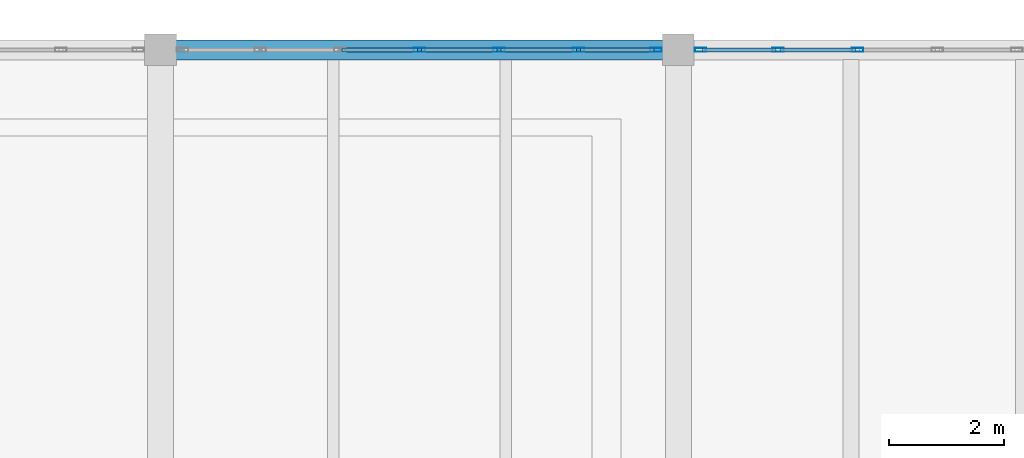
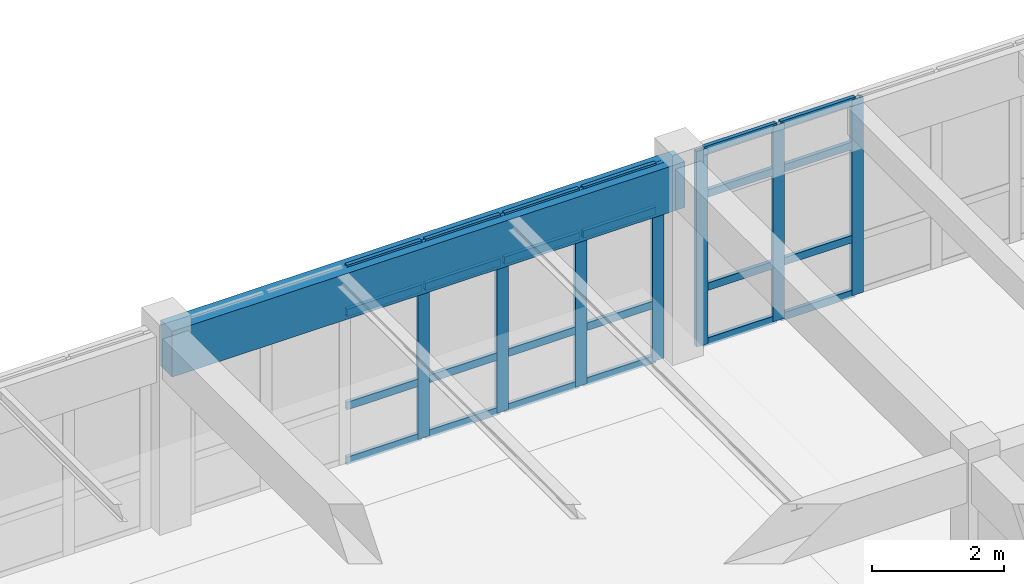
# One storey, part 104 of 156: 31 members, 1 beam, 2 elements without a shape of their own.
"""IFC4 building model written with IfcOpenShell, lengths in metres."""

from ifc_helpers import new_model, si_unit, direction, frame, origin, origin_2d, place, context, subcontext, project, spatial, rectangle, hollow_rectangle, extrude, material, layer, layer_set, material_profile, profile_set, type_object, element, aggregate, save


model = new_model("IFC4")

# Units and contexts
model_context = context("Model", 3, precision=1e-05, world=origin(), true_north=direction((0.0, 1.0)))
body_context = subcontext(model_context, "Body", "Model", "MODEL_VIEW")
ifc_project = project(units=[si_unit("LENGTHUNIT", "METRE"), si_unit("AREAUNIT", "SQUARE_METRE"), si_unit("VOLUMEUNIT", "CUBIC_METRE"), si_unit("PLANEANGLEUNIT", "RADIAN"), si_unit("MASSUNIT", "GRAM", prefix="KILO")], contexts=[model_context])

# Site, building, storey
site_placement = place(None, origin())
site = spatial("IfcSite", under=ifc_project, at=site_placement, CompositionType="ELEMENT")
building_placement = place(site_placement, origin())
building = spatial("IfcBuilding", under=site, at=building_placement, Name="Ornek Quay Market", CompositionType="ELEMENT")
storey_placement = place(building_placement, frame((0.0, 0.0, 4.5)))
storey = spatial("IfcBuildingStorey", under=building, at=storey_placement, Name="L01", CompositionType="ELEMENT", Elevation=4.5)

# Beam
ifc_material_1 = material(Name="Concrete C40/50", Category="concrete")
ifc_material_profile_1 = material_profile(ifc_material_1, rectangle(XDim=0.35009765625, YDim=0.85009765625, at=origin_2d()), Name="RC 350x850", Category="concrete")
ifc_profile_set_1 = profile_set([ifc_material_profile_1], Name="Concrete C40/50")
beam_type = type_object("IfcBeamType", Name="BM-SPN-350x850", PredefinedType="SPANDREL", material=ifc_profile_set_1)
beam_placement = place(storey_placement, frame((162.0, 110.0, 3.205078125), z_axis=(1.0, 0.0, 0.0), x_axis=(0.0, 1.0, 0.0)))
element("IfcBeam", 1, at=beam_placement, inside=storey, type_object=beam_type, Name="Primary beam B-SP1-105", PredefinedType="SPANDREL", context=body_context, shape_type="SweptSolid", body=[
    extrude(rectangle(XDim=0.35009765625, YDim=0.85009765625, at=origin_2d()), origin(), (0.0, 0.0, 1.0), 9.0),
])

# Curtain wall, members
ifc_material_2 = material(Name="Anodised bronze aluminium and triple low-e glass", Category="aluminium")
ifc_layer = layer(ifc_material_2, 0.18994140625, Name="Anodised bronze aluminium and triple low-e glass", Category="aluminium")
ifc_layer_set = layer_set([ifc_layer], Name="Anodised bronze aluminium and triple low-e glass")
curtain_wall_type = type_object("IfcCurtainWallType", Name="CW-FC-MOD1500", PredefinedType="USERDEFINED", material=ifc_layer_set)
curtain_wall_1_placement = place(storey_placement, origin())
curtain_wall_1 = element("IfcCurtainWall", 2, at=curtain_wall_1_placement, inside=storey, type_object=curtain_wall_type, Name="Curtain wall CW-084", ObjectType="CURTAIN WALL", PredefinedType="USERDEFINED")
ifc_material_3 = material(Name="Anodised aluminium 6063-T6", Category="aluminium")
ifc_material_profile_2 = material_profile(ifc_material_3, hollow_rectangle(XDim=0.070068359375, YDim=0.199951171875, WallThickness=0.0048828125, at=origin_2d()), Name="CW-MUL-70x200", Category="aluminium")
ifc_profile_set_2 = profile_set([ifc_material_profile_2], Name="Anodised aluminium 6063-T6")
member_type_1 = type_object("IfcMemberType", Name="CW-MUL-70x200", PredefinedType="MULLION", material=ifc_profile_set_2)
member_1_placement = place(storey_placement, frame((166.5, 110.0, 0.0), z_axis=(0.0, 0.0, 1.0), x_axis=(0.0, 1.0, 0.0)))
member_1 = element("IfcMember", 3, at=member_1_placement, type_object=member_type_1, Name="CW-084 mullion 4", PredefinedType="MULLION", context=body_context, shape_type="SweptSolid", body=[
    extrude(hollow_rectangle(XDim=0.070068359375, YDim=0.199951171875, WallThickness=0.0048828125, at=origin_2d()), origin(), (0.0, 0.0, 1.0), 3.6298828125),
])
member_2_placement = place(storey_placement, frame((167.88330078125, 110.0, 0.0), z_axis=(0.0, 0.0, 1.0), x_axis=(0.0, 1.0, 0.0)))
member_2 = element("IfcMember", 4, at=member_2_placement, type_object=member_type_1, Name="CW-084 mullion 5", PredefinedType="MULLION", context=body_context, shape_type="SweptSolid", body=[
    extrude(hollow_rectangle(XDim=0.070068359375, YDim=0.199951171875, WallThickness=0.0048828125, at=origin_2d()), origin(), (0.0, 0.0, 1.0), 3.6298828125),
])
member_3_placement = place(storey_placement, frame((169.2666015625, 110.0, 0.0), z_axis=(0.0, 0.0, 1.0), x_axis=(0.0, 1.0, 0.0)))
member_3 = element("IfcMember", 5, at=member_3_placement, type_object=member_type_1, Name="CW-084 mullion 6", PredefinedType="MULLION", context=body_context, shape_type="SweptSolid", body=[
    extrude(hollow_rectangle(XDim=0.070068359375, YDim=0.199951171875, WallThickness=0.0048828125, at=origin_2d()), origin(), (0.0, 0.0, 1.0), 3.6298828125),
])
member_4_placement = place(storey_placement, frame((170.614990234375, 110.0, 0.0), z_axis=(0.0, 0.0, 1.0), x_axis=(0.0, 1.0, 0.0)))
member_4 = element("IfcMember", 6, at=member_4_placement, type_object=member_type_1, Name="CW-084 mullion 7", PredefinedType="MULLION", context=body_context, shape_type="SweptSolid", body=[
    extrude(hollow_rectangle(XDim=0.070068359375, YDim=0.199951171875, WallThickness=0.0048828125, at=origin_2d()), origin(), (0.0, 0.0, 1.0), 3.6298828125),
])

curtain_wall_2_placement = place(storey_placement, origin())
curtain_wall_2 = element("IfcCurtainWall", 7, at=curtain_wall_2_placement, inside=storey, type_object=curtain_wall_type, Name="Curtain wall CW-085", ObjectType="CURTAIN WALL", PredefinedType="USERDEFINED")
member_5_placement = place(storey_placement, frame((171.385009765625, 110.0, 0.0), z_axis=(0.0, 0.0, 1.0), x_axis=(0.0, 1.0, 0.0)))
member_5 = element("IfcMember", 8, at=member_5_placement, type_object=member_type_1, Name="CW-085 mullion 1", PredefinedType="MULLION", context=body_context, shape_type="SweptSolid", body=[
    extrude(hollow_rectangle(XDim=0.070068359375, YDim=0.199951171875, WallThickness=0.0048828125, at=origin_2d()), origin(), (0.0, 0.0, 1.0), 3.6298828125),
])
member_6_placement = place(storey_placement, frame((172.7333984375, 110.0, 0.0), z_axis=(0.0, 0.0, 1.0), x_axis=(0.0, 1.0, 0.0)))
member_6 = element("IfcMember", 9, at=member_6_placement, type_object=member_type_1, Name="CW-085 mullion 2", PredefinedType="MULLION", context=body_context, shape_type="SweptSolid", body=[
    extrude(hollow_rectangle(XDim=0.070068359375, YDim=0.199951171875, WallThickness=0.0048828125, at=origin_2d()), origin(), (0.0, 0.0, 1.0), 3.6298828125),
])
member_7_placement = place(storey_placement, frame((174.11669921875, 110.0, 0.0), z_axis=(0.0, 0.0, 1.0), x_axis=(0.0, 1.0, 0.0)))
member_7 = element("IfcMember", 10, at=member_7_placement, type_object=member_type_1, Name="CW-085 mullion 3", PredefinedType="MULLION", context=body_context, shape_type="SweptSolid", body=[
    extrude(hollow_rectangle(XDim=0.070068359375, YDim=0.199951171875, WallThickness=0.0048828125, at=origin_2d()), origin(), (0.0, 0.0, 1.0), 3.6298828125),
])

# Member
ifc_material_profile_3 = material_profile(ifc_material_3, hollow_rectangle(XDim=0.06494140625, YDim=0.139892578125, WallThickness=0.00439453125, at=origin_2d()), Name="CW-TRN-65x140", Category="aluminium")
ifc_profile_set_3 = profile_set([ifc_material_profile_3], Name="Anodised aluminium 6063-T6")
member_type_2 = type_object("IfcMemberType", Name="CW-TRN-65x140", PredefinedType="USERDEFINED", material=ifc_profile_set_3)
member_8_placement = place(storey_placement, frame((165.151611328125, 110.0, 0.032470703125), z_axis=(1.0, 0.0, 0.0), x_axis=(0.0, 1.0, 0.0)))
member_8 = element("IfcMember", 11, at=member_8_placement, type_object=member_type_2, Name="CW-084 transom 3.1", ObjectType="TRANSOM", PredefinedType="USERDEFINED", context=body_context, shape_type="SweptSolid", body=[
    extrude(hollow_rectangle(XDim=0.06494140625, YDim=0.139892578125, WallThickness=0.00439453125, at=origin_2d()), origin(), (0.0, 0.0, 1.0), 1.3134765625),
])

member_9_placement = place(storey_placement, frame((165.151611328125, 110.0, 1.050048828125), z_axis=(1.0, 0.0, 0.0), x_axis=(0.0, 1.0, 0.0)))
member_9 = element("IfcMember", 12, at=member_9_placement, type_object=member_type_2, Name="CW-084 transom 3.2", ObjectType="TRANSOM", PredefinedType="USERDEFINED", context=body_context, shape_type="SweptSolid", body=[
    extrude(hollow_rectangle(XDim=0.06494140625, YDim=0.139892578125, WallThickness=0.00439453125, at=origin_2d()), origin(), (0.0, 0.0, 1.0), 1.3134765625),
])

member_10_placement = place(storey_placement, frame((165.151611328125, 110.0, 2.780029296875), z_axis=(1.0, 0.0, 0.0), x_axis=(0.0, 1.0, 0.0)))
member_10 = element("IfcMember", 13, at=member_10_placement, type_object=member_type_2, Name="CW-084 transom 3.3", ObjectType="TRANSOM", PredefinedType="USERDEFINED", context=body_context, shape_type="SweptSolid", body=[
    extrude(hollow_rectangle(XDim=0.06494140625, YDim=0.139892578125, WallThickness=0.00439453125, at=origin_2d()), origin(), (0.0, 0.0, 1.0), 1.3134765625),
])

member_11_placement = place(storey_placement, frame((165.151611328125, 110.0, 3.597412109375), z_axis=(1.0, 0.0, 0.0), x_axis=(0.0, 1.0, 0.0)))
member_11 = element("IfcMember", 14, at=member_11_placement, type_object=member_type_2, Name="CW-084 transom 3.4", ObjectType="TRANSOM", PredefinedType="USERDEFINED", context=body_context, shape_type="SweptSolid", body=[
    extrude(hollow_rectangle(XDim=0.06494140625, YDim=0.139892578125, WallThickness=0.00439453125, at=origin_2d()), origin(), (0.0, 0.0, 1.0), 1.3134765625),
])

member_12_placement = place(storey_placement, frame((166.534912109375, 110.0, 0.032470703125), z_axis=(1.0, 0.0, 0.0), x_axis=(0.0, 1.0, 0.0)))
member_12 = element("IfcMember", 15, at=member_12_placement, type_object=member_type_2, Name="CW-084 transom 4.1", ObjectType="TRANSOM", PredefinedType="USERDEFINED", context=body_context, shape_type="SweptSolid", body=[
    extrude(hollow_rectangle(XDim=0.06494140625, YDim=0.139892578125, WallThickness=0.00439453125, at=origin_2d()), origin(), (0.0, 0.0, 1.0), 1.3134765625),
])

member_13_placement = place(storey_placement, frame((166.534912109375, 110.0, 1.050048828125), z_axis=(1.0, 0.0, 0.0), x_axis=(0.0, 1.0, 0.0)))
member_13 = element("IfcMember", 16, at=member_13_placement, type_object=member_type_2, Name="CW-084 transom 4.2", ObjectType="TRANSOM", PredefinedType="USERDEFINED", context=body_context, shape_type="SweptSolid", body=[
    extrude(hollow_rectangle(XDim=0.06494140625, YDim=0.139892578125, WallThickness=0.00439453125, at=origin_2d()), origin(), (0.0, 0.0, 1.0), 1.3134765625),
])

member_14_placement = place(storey_placement, frame((166.534912109375, 110.0, 2.780029296875), z_axis=(1.0, 0.0, 0.0), x_axis=(0.0, 1.0, 0.0)))
member_14 = element("IfcMember", 17, at=member_14_placement, type_object=member_type_2, Name="CW-084 transom 4.3", ObjectType="TRANSOM", PredefinedType="USERDEFINED", context=body_context, shape_type="SweptSolid", body=[
    extrude(hollow_rectangle(XDim=0.06494140625, YDim=0.139892578125, WallThickness=0.00439453125, at=origin_2d()), origin(), (0.0, 0.0, 1.0), 1.3134765625),
])

member_15_placement = place(storey_placement, frame((166.534912109375, 110.0, 3.597412109375), z_axis=(1.0, 0.0, 0.0), x_axis=(0.0, 1.0, 0.0)))
member_15 = element("IfcMember", 18, at=member_15_placement, type_object=member_type_2, Name="CW-084 transom 4.4", ObjectType="TRANSOM", PredefinedType="USERDEFINED", context=body_context, shape_type="SweptSolid", body=[
    extrude(hollow_rectangle(XDim=0.06494140625, YDim=0.139892578125, WallThickness=0.00439453125, at=origin_2d()), origin(), (0.0, 0.0, 1.0), 1.3134765625),
])

member_16_placement = place(storey_placement, frame((167.918212890625, 110.0, 0.032470703125), z_axis=(1.0, 0.0, 0.0), x_axis=(0.0, 1.0, 0.0)))
member_16 = element("IfcMember", 19, at=member_16_placement, type_object=member_type_2, Name="CW-084 transom 5.1", ObjectType="TRANSOM", PredefinedType="USERDEFINED", context=body_context, shape_type="SweptSolid", body=[
    extrude(hollow_rectangle(XDim=0.06494140625, YDim=0.139892578125, WallThickness=0.00439453125, at=origin_2d()), origin(), (0.0, 0.0, 1.0), 1.3134765625),
])

member_17_placement = place(storey_placement, frame((167.918212890625, 110.0, 1.050048828125), z_axis=(1.0, 0.0, 0.0), x_axis=(0.0, 1.0, 0.0)))
member_17 = element("IfcMember", 20, at=member_17_placement, type_object=member_type_2, Name="CW-084 transom 5.2", ObjectType="TRANSOM", PredefinedType="USERDEFINED", context=body_context, shape_type="SweptSolid", body=[
    extrude(hollow_rectangle(XDim=0.06494140625, YDim=0.139892578125, WallThickness=0.00439453125, at=origin_2d()), origin(), (0.0, 0.0, 1.0), 1.3134765625),
])

member_18_placement = place(storey_placement, frame((167.918212890625, 110.0, 2.780029296875), z_axis=(1.0, 0.0, 0.0), x_axis=(0.0, 1.0, 0.0)))
member_18 = element("IfcMember", 21, at=member_18_placement, type_object=member_type_2, Name="CW-084 transom 5.3", ObjectType="TRANSOM", PredefinedType="USERDEFINED", context=body_context, shape_type="SweptSolid", body=[
    extrude(hollow_rectangle(XDim=0.06494140625, YDim=0.139892578125, WallThickness=0.00439453125, at=origin_2d()), origin(), (0.0, 0.0, 1.0), 1.3134765625),
])

member_19_placement = place(storey_placement, frame((167.918212890625, 110.0, 3.597412109375), z_axis=(1.0, 0.0, 0.0), x_axis=(0.0, 1.0, 0.0)))
member_19 = element("IfcMember", 22, at=member_19_placement, type_object=member_type_2, Name="CW-084 transom 5.4", ObjectType="TRANSOM", PredefinedType="USERDEFINED", context=body_context, shape_type="SweptSolid", body=[
    extrude(hollow_rectangle(XDim=0.06494140625, YDim=0.139892578125, WallThickness=0.00439453125, at=origin_2d()), origin(), (0.0, 0.0, 1.0), 1.3134765625),
])

member_20_placement = place(storey_placement, frame((169.3017578125, 110.0, 0.032470703125), z_axis=(1.0, 0.0, 0.0), x_axis=(0.0, 1.0, 0.0)))
member_20 = element("IfcMember", 23, at=member_20_placement, type_object=member_type_2, Name="CW-084 transom 6.1", ObjectType="TRANSOM", PredefinedType="USERDEFINED", context=body_context, shape_type="SweptSolid", body=[
    extrude(hollow_rectangle(XDim=0.06494140625, YDim=0.139892578125, WallThickness=0.00439453125, at=origin_2d()), origin(), (0.0, 0.0, 1.0), 1.2783203125),
])

member_21_placement = place(storey_placement, frame((169.3017578125, 110.0, 1.050048828125), z_axis=(1.0, 0.0, 0.0), x_axis=(0.0, 1.0, 0.0)))
member_21 = element("IfcMember", 24, at=member_21_placement, type_object=member_type_2, Name="CW-084 transom 6.2", ObjectType="TRANSOM", PredefinedType="USERDEFINED", context=body_context, shape_type="SweptSolid", body=[
    extrude(hollow_rectangle(XDim=0.06494140625, YDim=0.139892578125, WallThickness=0.00439453125, at=origin_2d()), origin(), (0.0, 0.0, 1.0), 1.2783203125),
])

member_22_placement = place(storey_placement, frame((169.3017578125, 110.0, 2.780029296875), z_axis=(1.0, 0.0, 0.0), x_axis=(0.0, 1.0, 0.0)))
member_22 = element("IfcMember", 25, at=member_22_placement, type_object=member_type_2, Name="CW-084 transom 6.3", ObjectType="TRANSOM", PredefinedType="USERDEFINED", context=body_context, shape_type="SweptSolid", body=[
    extrude(hollow_rectangle(XDim=0.06494140625, YDim=0.139892578125, WallThickness=0.00439453125, at=origin_2d()), origin(), (0.0, 0.0, 1.0), 1.2783203125),
])

member_23_placement = place(storey_placement, frame((169.3017578125, 110.0, 3.597412109375), z_axis=(1.0, 0.0, 0.0), x_axis=(0.0, 1.0, 0.0)))
member_23 = element("IfcMember", 26, at=member_23_placement, type_object=member_type_2, Name="CW-084 transom 6.4", ObjectType="TRANSOM", PredefinedType="USERDEFINED", context=body_context, shape_type="SweptSolid", body=[
    extrude(hollow_rectangle(XDim=0.06494140625, YDim=0.139892578125, WallThickness=0.00439453125, at=origin_2d()), origin(), (0.0, 0.0, 1.0), 1.2783203125),
])

aggregate(curtain_wall_1, [member_1, member_2, member_3, member_4, member_8, member_9, member_10, member_11, member_12, member_13, member_14, member_15, member_16, member_17, member_18, member_19, member_20, member_21, member_22, member_23])

member_24_placement = place(storey_placement, frame((171.419921875, 110.0, 0.032470703125), z_axis=(1.0, 0.0, 0.0), x_axis=(0.0, 1.0, 0.0)))
member_24 = element("IfcMember", 27, at=member_24_placement, type_object=member_type_2, Name="CW-085 transom 1.1", ObjectType="TRANSOM", PredefinedType="USERDEFINED", context=body_context, shape_type="SweptSolid", body=[
    extrude(hollow_rectangle(XDim=0.06494140625, YDim=0.139892578125, WallThickness=0.00439453125, at=origin_2d()), origin(), (0.0, 0.0, 1.0), 1.2783203125),
])

member_25_placement = place(storey_placement, frame((171.419921875, 110.0, 1.050048828125), z_axis=(1.0, 0.0, 0.0), x_axis=(0.0, 1.0, 0.0)))
member_25 = element("IfcMember", 28, at=member_25_placement, type_object=member_type_2, Name="CW-085 transom 1.2", ObjectType="TRANSOM", PredefinedType="USERDEFINED", context=body_context, shape_type="SweptSolid", body=[
    extrude(hollow_rectangle(XDim=0.06494140625, YDim=0.139892578125, WallThickness=0.00439453125, at=origin_2d()), origin(), (0.0, 0.0, 1.0), 1.2783203125),
])

member_26_placement = place(storey_placement, frame((171.419921875, 110.0, 2.780029296875), z_axis=(1.0, 0.0, 0.0), x_axis=(0.0, 1.0, 0.0)))
member_26 = element("IfcMember", 29, at=member_26_placement, type_object=member_type_2, Name="CW-085 transom 1.3", ObjectType="TRANSOM", PredefinedType="USERDEFINED", context=body_context, shape_type="SweptSolid", body=[
    extrude(hollow_rectangle(XDim=0.06494140625, YDim=0.139892578125, WallThickness=0.00439453125, at=origin_2d()), origin(), (0.0, 0.0, 1.0), 1.2783203125),
])

member_27_placement = place(storey_placement, frame((171.419921875, 110.0, 3.597412109375), z_axis=(1.0, 0.0, 0.0), x_axis=(0.0, 1.0, 0.0)))
member_27 = element("IfcMember", 30, at=member_27_placement, type_object=member_type_2, Name="CW-085 transom 1.4", ObjectType="TRANSOM", PredefinedType="USERDEFINED", context=body_context, shape_type="SweptSolid", body=[
    extrude(hollow_rectangle(XDim=0.06494140625, YDim=0.139892578125, WallThickness=0.00439453125, at=origin_2d()), origin(), (0.0, 0.0, 1.0), 1.2783203125),
])

member_28_placement = place(storey_placement, frame((172.768310546875, 110.0, 0.032470703125), z_axis=(1.0, 0.0, 0.0), x_axis=(0.0, 1.0, 0.0)))
member_28 = element("IfcMember", 31, at=member_28_placement, type_object=member_type_2, Name="CW-085 transom 2.1", ObjectType="TRANSOM", PredefinedType="USERDEFINED", context=body_context, shape_type="SweptSolid", body=[
    extrude(hollow_rectangle(XDim=0.06494140625, YDim=0.139892578125, WallThickness=0.00439453125, at=origin_2d()), origin(), (0.0, 0.0, 1.0), 1.3134765625),
])

member_29_placement = place(storey_placement, frame((172.768310546875, 110.0, 1.050048828125), z_axis=(1.0, 0.0, 0.0), x_axis=(0.0, 1.0, 0.0)))
member_29 = element("IfcMember", 32, at=member_29_placement, type_object=member_type_2, Name="CW-085 transom 2.2", ObjectType="TRANSOM", PredefinedType="USERDEFINED", context=body_context, shape_type="SweptSolid", body=[
    extrude(hollow_rectangle(XDim=0.06494140625, YDim=0.139892578125, WallThickness=0.00439453125, at=origin_2d()), origin(), (0.0, 0.0, 1.0), 1.3134765625),
])

member_30_placement = place(storey_placement, frame((172.768310546875, 110.0, 2.780029296875), z_axis=(1.0, 0.0, 0.0), x_axis=(0.0, 1.0, 0.0)))
member_30 = element("IfcMember", 33, at=member_30_placement, type_object=member_type_2, Name="CW-085 transom 2.3", ObjectType="TRANSOM", PredefinedType="USERDEFINED", context=body_context, shape_type="SweptSolid", body=[
    extrude(hollow_rectangle(XDim=0.06494140625, YDim=0.139892578125, WallThickness=0.00439453125, at=origin_2d()), origin(), (0.0, 0.0, 1.0), 1.3134765625),
])

member_31_placement = place(storey_placement, frame((172.768310546875, 110.0, 3.597412109375), z_axis=(1.0, 0.0, 0.0), x_axis=(0.0, 1.0, 0.0)))
member_31 = element("IfcMember", 34, at=member_31_placement, type_object=member_type_2, Name="CW-085 transom 2.4", ObjectType="TRANSOM", PredefinedType="USERDEFINED", context=body_context, shape_type="SweptSolid", body=[
    extrude(hollow_rectangle(XDim=0.06494140625, YDim=0.139892578125, WallThickness=0.00439453125, at=origin_2d()), origin(), (0.0, 0.0, 1.0), 1.3134765625),
])

aggregate(curtain_wall_2, [member_5, member_6, member_7, member_24, member_25, member_26, member_27, member_28, member_29, member_30, member_31])

save(model, "model.ifc")
